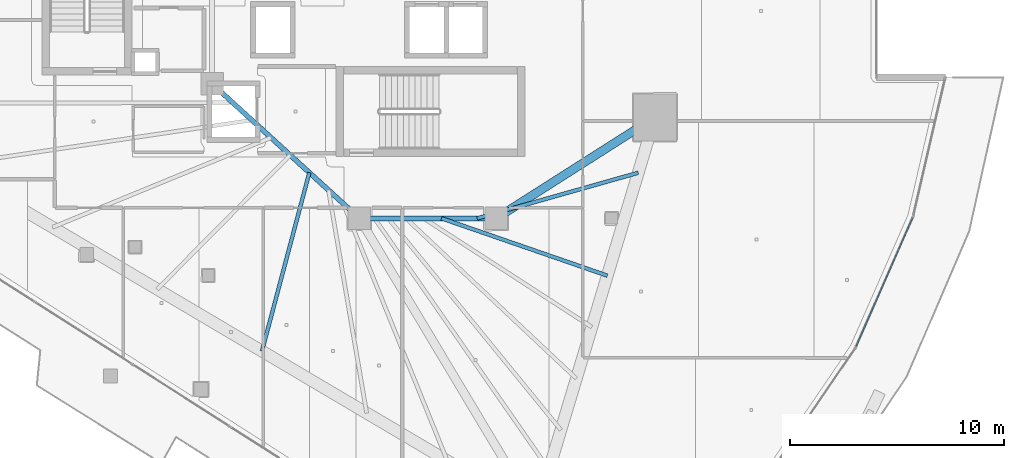
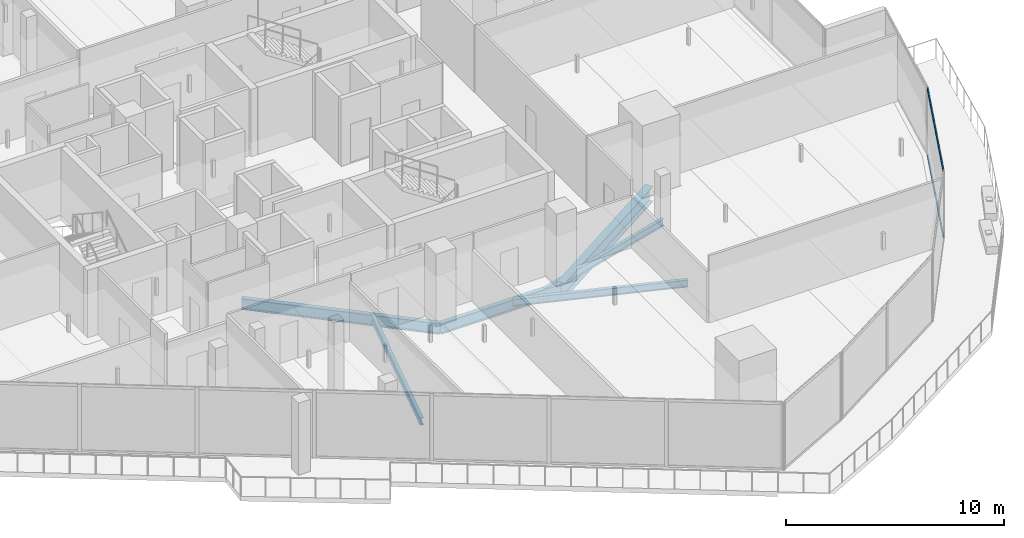
# One storey, part 12 of 39: 6 beams, 2 members, 1 element without a shape of its own.
"""IFC4 building model written with IfcOpenShell, lengths in metres."""

import ifcopenshell
import ifcopenshell.guid

model = None  # the IFC model being written
_history = None  # IfcOwnerHistory: only IFC2X3 demands one
_inside = {}  # id of a spatial element -> (the spatial element, [elements in it])
_under = {}  # id of a project, library or spatial element -> (it, [spatial elements below it])
_declared = {}  # id of a project -> (the project, [libraries it declares])
_typed = {}  # id of a type object -> (the type object, [elements of that type])
_made_of = {}  # id of a material, layer set ... -> (it, [elements and type objects made of it])


def new_model(schema):
    """Start an empty IFC model of exactly this schema.

    Asked for "IFC4X3", IfcOpenShell would pick the latest addendum, in which some entities
    have other attributes; the version numbers below select the first issue.
    IFC2X3 requires an IfcOwnerHistory on every rooted entity: one is made here for all.
    """
    global model, _history
    if schema == "IFC4X3":
        model = ifcopenshell.file(schema_version=(4, 3, 0, 0))
    else:
        model = ifcopenshell.file(schema=schema)
    _inside.clear()
    _under.clear()
    _declared.clear()
    _typed.clear()
    _made_of.clear()
    _history = None
    if model.schema == "IFC2X3":
        org = make("IfcOrganization", Name="unknown")
        user = make(
            "IfcPersonAndOrganization",
            ThePerson=make("IfcPerson", FamilyName="unknown"),
            TheOrganization=org,
        )
        app = make(
            "IfcApplication",
            ApplicationDeveloper=org,
            Version="unknown",
            ApplicationFullName="unknown",
            ApplicationIdentifier="unknown",
        )
        _history = make(
            "IfcOwnerHistory",
            OwningUser=user,
            OwningApplication=app,
            ChangeAction="ADDED",
            CreationDate=0,
        )
    return model


def make(cls, **values):
    """One entity of the class cls with the attributes given. An attribute that is None is left unset."""
    return model.create_entity(
        cls, **{name: value for name, value in values.items() if value is not None}
    )


def rooted(cls, **values):
    """An entity with a GlobalId (a new one), such as an element, a storey or a relation."""
    return make(cls, GlobalId=ifcopenshell.guid.new(), OwnerHistory=_history, **values)


def si_unit(unit_type, name, prefix=None):
    """IfcSIUnit, for example si_unit("LENGTHUNIT", "METRE", prefix="MILLI")."""
    return make("IfcSIUnit", UnitType=unit_type, Prefix=prefix, Name=name)


def assignment(units):
    """IfcUnitAssignment: the units of a project."""
    return None if units is None else make("IfcUnitAssignment", Units=units)


def point(xyz):
    """IfcCartesianPoint."""
    return None if xyz is None else make("IfcCartesianPoint", Coordinates=xyz)


def direction(xyz):
    """IfcDirection."""
    return None if xyz is None else make("IfcDirection", DirectionRatios=xyz)


def frame(location, z_axis=None, x_axis=None):
    """IfcAxis2Placement3D, a coordinate frame: its origin and axes. An axis left out is left unset."""
    return make(
        "IfcAxis2Placement3D",
        Location=point(location),
        Axis=direction(z_axis),
        RefDirection=direction(x_axis),
    )


def frame_2d(location, x_axis=None):
    """IfcAxis2Placement2D, a coordinate frame in the plane: its origin and x axis."""
    return make(
        "IfcAxis2Placement2D", Location=point(location), RefDirection=direction(x_axis)
    )


def origin():
    """The frame at (0, 0, 0) with its axes left unset."""
    return frame((0.0, 0.0, 0.0))


def origin_2d():
    """The frame at (0, 0) in the plane with its x axis left unset."""
    return frame_2d((0.0, 0.0))


def place(relative_to, where):
    """IfcLocalPlacement: puts the frame where relative to a parent placement (None: the world)."""
    return make(
        "IfcLocalPlacement", PlacementRelTo=relative_to, RelativePlacement=where
    )


def context(
    kind, dimensions, precision=None, world=None, true_north=None, identifier=None
):
    """IfcGeometricRepresentationContext, for example the 3D "Model" context."""
    return make(
        "IfcGeometricRepresentationContext",
        ContextIdentifier=identifier,
        ContextType=kind,
        CoordinateSpaceDimension=dimensions,
        Precision=precision,
        WorldCoordinateSystem=world,
        TrueNorth=true_north,
    )


def subcontext(parent, identifier, kind, view, scale=None):
    """IfcGeometricRepresentationSubContext, for example "Body" below "Model"."""
    return make(
        "IfcGeometricRepresentationSubContext",
        ContextIdentifier=identifier,
        ContextType=kind,
        ParentContext=parent,
        TargetScale=scale,
        TargetView=view,
    )


def project(units=None, contexts=None):
    """IfcProject with its units and contexts."""
    return rooted(
        "IfcProject",
        Name="project",
        RepresentationContexts=contexts,
        UnitsInContext=assignment(units),
    )


def spatial(cls, under=None, at=None, **own):
    """A site, building, storey or space (cls), placed at a placement, below another one or the project."""
    s = rooted(cls, ObjectPlacement=at, **own)
    if under is not None:
        _under.setdefault(under.id(), (under, []))[1].append(s)
    return s


def profile(cls, at=None, kind="AREA", **sizes):
    """A parametric profile (cls). Its sizes go by their IFC names, for example OverallWidth=200.0."""
    return make(cls, ProfileType=kind, Position=at, **sizes)


def hollow_rectangle(**sizes):
    """IfcRectangleHollowProfileDef."""
    return profile("IfcRectangleHollowProfileDef", **sizes)


def i_section(**sizes):
    """IfcIShapeProfileDef."""
    return profile("IfcIShapeProfileDef", **sizes)


def extrude(swept, where, along, depth):
    """IfcExtrudedAreaSolid: the profile swept, set in the frame where, extruded along a direction by depth."""
    return make(
        "IfcExtrudedAreaSolid",
        SweptArea=swept,
        Position=where,
        ExtrudedDirection=direction(along),
        Depth=depth,
    )


def shape(context_of_items, identifier, shape_type, items):
    """IfcShapeRepresentation: the items that make up one representation, for example the "Body"."""
    return make(
        "IfcShapeRepresentation",
        ContextOfItems=context_of_items,
        RepresentationIdentifier=identifier,
        RepresentationType=shape_type,
        Items=items,
    )


def material(Name=None, Category=None):
    """IfcMaterial."""
    return make("IfcMaterial", Name=Name, Category=Category)


def layer(
    of_material, thickness, ventilated=None, Name=None, Category=None, Priority=None
):
    """IfcMaterialLayer: one layer of a wall or slab, of a material (None: an air gap)."""
    return make(
        "IfcMaterialLayer",
        Material=of_material,
        LayerThickness=thickness,
        IsVentilated=ventilated,
        Name=Name,
        Category=Category,
        Priority=Priority,
    )


def layer_set(layers, Name=None):
    """IfcMaterialLayerSet."""
    return make("IfcMaterialLayerSet", MaterialLayers=layers, LayerSetName=Name)


def material_profile(
    of_material, cross_section, Name=None, Category=None, Priority=None
):
    """IfcMaterialProfile: a cross section and its material."""
    return make(
        "IfcMaterialProfile",
        Name=Name,
        Material=of_material,
        Profile=cross_section,
        Priority=Priority,
        Category=Category,
    )


def profile_set(profiles, Name=None, composite=None):
    """IfcMaterialProfileSet."""
    return make(
        "IfcMaterialProfileSet",
        Name=Name,
        MaterialProfiles=profiles,
        CompositeProfile=composite,
    )


def made_of(thing, what):
    """Note that an element or type object is made of a material, layer set ...; save() writes the relation."""
    if what is not None:
        _made_of.setdefault(what.id(), (what, []))[1].append(thing)
    return thing


def type_object(cls, material=None, **own):
    """A type object (cls), such as IfcWallType, which elements share."""
    return made_of(rooted(cls, **own), material)


def element(
    cls,
    number,
    at=None,
    inside=None,
    cuts=None,
    type_object=None,
    material=None,
    context=None,
    identifier="Body",
    shape_type=None,
    held_by="IfcProductDefinitionShape",
    body=None,
    shapes=None,
    **own,
):
    """One element of the class cls, such as IfcWall. Its Tag is "e" and its number.

    at: its placement. inside: the storey or other place that contains it. cuts: it is an
    opening in that element (IfcRelVoidsElement). A single representation is given by context,
    identifier, shape_type and body (its items); several are given by shapes. held_by: the class
    of the entity that holds the representations. save() writes the other relations.
    """
    e = rooted(cls, Tag="e%d" % number, ObjectPlacement=at, **own)
    if body is not None:
        shapes = [shape(context, identifier, shape_type, body)]
    if shapes is not None:
        e.Representation = make(held_by, Representations=shapes)
    if inside is not None:
        _inside.setdefault(inside.id(), (inside, []))[1].append(e)
    if cuts is not None:
        rooted(
            "IfcRelVoidsElement", RelatingBuildingElement=cuts, RelatedOpeningElement=e
        )
    if type_object is not None:
        _typed.setdefault(type_object.id(), (type_object, []))[1].append(e)
    return made_of(e, material)


def aggregate(whole, parts):
    """IfcRelAggregates: a whole, such as a stair, and the parts it consists of."""
    return rooted("IfcRelAggregates", RelatingObject=whole, RelatedObjects=parts)


def save(model, path):
    """Write the relations noted so far, then the file.

    IfcRelAggregates (storeys below a building ...), IfcRelContainedInSpatialStructure (elements
    in a storey), IfcRelDefinesByType, IfcRelAssociatesMaterial and IfcRelDeclares: one each for
    every whole, place, type object, material and project.
    """
    for whole, parts in _under.values():
        aggregate(whole, parts)
    for where, things in _inside.values():
        rooted(
            "IfcRelContainedInSpatialStructure",
            RelatedElements=things,
            RelatingStructure=where,
        )
    for kind, things in _typed.values():
        rooted("IfcRelDefinesByType", RelatedObjects=things, RelatingType=kind)
    for what, things in _made_of.values():
        rooted("IfcRelAssociatesMaterial", RelatedObjects=things, RelatingMaterial=what)
    for by, libraries in _declared.values():
        rooted("IfcRelDeclares", RelatingContext=by, RelatedDefinitions=libraries)
    model.write(path)


model = new_model("IFC4")

# Units and contexts
model_context = context("Model", 3, precision=1e-05, world=origin(), true_north=direction((0.0, 1.0)))
body_context = subcontext(model_context, "Body", "Model", "MODEL_VIEW")
ifc_project = project(units=[si_unit("LENGTHUNIT", "METRE"), si_unit("AREAUNIT", "SQUARE_METRE"), si_unit("VOLUMEUNIT", "CUBIC_METRE"), si_unit("PLANEANGLEUNIT", "RADIAN"), si_unit("MASSUNIT", "GRAM", prefix="KILO")], contexts=[model_context])

# Site, building, storey
site_placement = place(None, origin())
site = spatial("IfcSite", under=ifc_project, at=site_placement, CompositionType="ELEMENT")
building_placement = place(site_placement, origin())
building = spatial("IfcBuilding", under=site, at=building_placement, Name="Qorvath Tower", CompositionType="ELEMENT")
storey_placement = place(building_placement, frame((0.0, 0.0, 142.199951171875)))
storey = spatial("IfcBuildingStorey", under=building, at=storey_placement, Name="L32", CompositionType="ELEMENT", Elevation=142.199951171875)

# Beams
ifc_material_1 = material(Name="Steel ASTM A992 Grade 50", Category="steel")
ifc_material_profile_1 = material_profile(ifc_material_1, i_section(OverallWidth=0.39892578125, OverallDepth=0.85498046875, WebThickness=0.018310546875, FlangeThickness=0.029296875, FilletRadius=0.02001953125, at=origin_2d()), Name="W33x201")
ifc_profile_set_1 = profile_set([ifc_material_profile_1], Name="Steel ASTM A992 Grade 50")
beam_type_1 = type_object("IfcBeamType", Name="BM-FG2", PredefinedType="BEAM", material=ifc_profile_set_1)
beam_1_placement = place(storey_placement, frame((-17.199951171875, -11.449951171875, -0.697509765625), z_axis=(0.843634090834, 0.536918542037, 0.0), x_axis=(-0.536918542037, 0.843634090834, 0.0)))
element("IfcBeam", 1, at=beam_1_placement, inside=storey, type_object=beam_type_1, Name="Radial Floor Girder CC3-MC4 L32", PredefinedType="BEAM", context=body_context, shape_type="SweptSolid", body=[
    extrude(i_section(OverallWidth=0.39892578125, OverallDepth=0.85498046875, WebThickness=0.018310546875, FlangeThickness=0.029296875, FilletRadius=0.02001953125, at=origin_2d()), origin(), (0.0, 0.0, 1.0), 8.806884765625),
])
ifc_material_2 = material(Name="Steel ASTM A992 Grade 50", Category="steel")
ifc_material_profile_2 = material_profile(ifc_material_2, i_section(OverallWidth=0.22998046875, OverallDepth=0.616943359375, WebThickness=0.01318359375, FlangeThickness=0.022216796875, FilletRadius=0.014892578125, at=origin_2d()), Name="W24x94")
ifc_profile_set_2 = profile_set([ifc_material_profile_2], Name="Steel ASTM A992 Grade 50")
beam_type_2 = type_object("IfcBeamType", Name="BM-FG6", PredefinedType="BEAM", material=ifc_profile_set_2)
beam_2_placement = place(storey_placement, frame((-17.199951171875, -11.449951171875, -0.57861328125), z_axis=(-1.0, 0.0, 0.0), x_axis=(0.0, -1.0, 0.0)))
element("IfcBeam", 2, at=beam_2_placement, inside=storey, type_object=beam_type_2, Name="Core Ring Girder CC3-CC4 L32", PredefinedType="BEAM", context=body_context, shape_type="SweptSolid", body=[
    extrude(i_section(OverallWidth=0.22998046875, OverallDepth=0.616943359375, WebThickness=0.01318359375, FlangeThickness=0.022216796875, FilletRadius=0.014892578125, at=origin_2d()), origin(), (0.0, 0.0, 1.0), 6.400146484375),
])
beam_3_placement = place(storey_placement, frame((-23.60009765625, -11.449951171875, -0.57861328125), z_axis=(-0.73847813985, 0.6742774184, 0.0), x_axis=(-0.6742774184, -0.73847813985, 0.0)))
element("IfcBeam", 3, at=beam_3_placement, inside=storey, type_object=beam_type_2, Name="Core Ring Girder CC4-CC6 L32", PredefinedType="BEAM", context=body_context, shape_type="SweptSolid", body=[
    extrude(i_section(OverallWidth=0.22998046875, OverallDepth=0.616943359375, WebThickness=0.01318359375, FlangeThickness=0.022216796875, FilletRadius=0.014892578125, at=origin_2d()), origin(), (0.0, 0.0, 1.0), 9.343505859375),
])
ifc_material_3 = material(Name="Steel ASTM A992 Grade 50", Category="steel")
ifc_material_profile_3 = material_profile(ifc_material_3, i_section(OverallWidth=0.177978515625, OverallDepth=0.406005859375, WebThickness=0.0078125, FlangeThickness=0.0126953125, FilletRadius=0.010986328125, at=origin_2d()), Name="W16x40")
ifc_profile_set_3 = profile_set([ifc_material_profile_3], Name="Steel ASTM A992 Grade 50")
beam_type_3 = type_object("IfcBeamType", Name="BM-FJ3", PredefinedType="JOIST", material=ifc_profile_set_3)
beam_4_placement = place(storey_placement, frame((-18.095947265625, -11.449951171875, -0.47314453125), z_axis=(0.962222206221, 0.272265359264, 0.0), x_axis=(-0.272265359264, 0.962222206221, 0.0)))
element("IfcBeam", 4, at=beam_4_placement, inside=storey, type_object=beam_type_3, Name="Composite Floor Joist SE1 L32", PredefinedType="JOIST", context=body_context, shape_type="SweptSolid", body=[
    extrude(i_section(OverallWidth=0.177978515625, OverallDepth=0.406005859375, WebThickness=0.0078125, FlangeThickness=0.0126953125, FilletRadius=0.010986328125, at=origin_2d()), origin(), (0.0, 0.0, 1.0), 7.841552734375),
])
beam_5_placement = place(storey_placement, frame((-19.760009765625, -11.449951171875, -0.47314453125), z_axis=(0.945168345309, -0.326583525342, 0.0), x_axis=(0.326583525342, 0.945168345309, 0.0)))
element("IfcBeam", 5, at=beam_5_placement, inside=storey, type_object=beam_type_3, Name="Composite Floor Joist SE3 L32", PredefinedType="JOIST", context=body_context, shape_type="SweptSolid", body=[
    extrude(i_section(OverallWidth=0.177978515625, OverallDepth=0.406005859375, WebThickness=0.0078125, FlangeThickness=0.0126953125, FilletRadius=0.010986328125, at=origin_2d()), origin(), (0.0, 0.0, 1.0), 8.21044921875),
])
beam_6_placement = place(storey_placement, frame((-25.946044921875, -9.30810546875, -0.47314453125), z_axis=(-0.256507909517, -0.966542131702, 0.0), x_axis=(0.966542131702, -0.256507909517, 0.0)))
element("IfcBeam", 6, at=beam_6_placement, inside=storey, type_object=beam_type_3, Name="Composite Floor Joist SW5 L32", PredefinedType="JOIST", context=body_context, shape_type="SweptSolid", body=[
    extrude(i_section(OverallWidth=0.177978515625, OverallDepth=0.406005859375, WebThickness=0.0078125, FlangeThickness=0.0126953125, FilletRadius=0.010986328125, at=origin_2d()), origin(), (0.0, 0.0, 1.0), 8.64697265625),
])

# Curtain wall, members
ifc_material_4 = material(Name="Anodised aluminium and triple low-E glass", Category="aluminium")
ifc_layer = layer(ifc_material_4, 0.179931640625)
ifc_layer_set = layer_set([ifc_layer], Name="CW-SYS-3")
curtain_wall_type = type_object("IfcCurtainWallType", Name="CW-SYS-3", PredefinedType="NOTDEFINED", material=ifc_layer_set)
curtain_wall_placement = place(storey_placement, origin())
curtain_wall = element("IfcCurtainWall", 7, at=curtain_wall_placement, inside=storey, type_object=curtain_wall_type, Name="Curtain Wall CW-3 CW-T-L32-6.1", PredefinedType="NOTDEFINED")
ifc_material_5 = material(Name="Anodised aluminium 6063-T6", Category="aluminium")
ifc_material_profile_4 = material_profile(ifc_material_5, hollow_rectangle(XDim=0.06494140625, YDim=0.159912109375, WallThickness=0.00341796875, InnerFilletRadius=0.00341796875, OuterFilletRadius=0.007080078125, at=origin_2d()), Name="CWT 160x65")
ifc_profile_set_4 = profile_set([ifc_material_profile_4], Name="Anodised aluminium 6063-T6")
member_type = type_object("IfcMemberType", Name="CWT-160", PredefinedType="USERDEFINED", material=ifc_profile_set_4)
member_1_placement = place(storey_placement, frame((-0.35205078125, -17.447021484375, 0.032470703125), z_axis=(0.401857137261, 0.915702375902, 0.0), x_axis=(-0.915702375902, 0.401857137261, 0.0)))
member_1 = element("IfcMember", 8, at=member_1_placement, type_object=member_type, Name="CW-3 transom 1.1", ObjectType="TRANSOM", PredefinedType="USERDEFINED", context=body_context, shape_type="SweptSolid", body=[
    extrude(hollow_rectangle(XDim=0.06494140625, YDim=0.159912109375, WallThickness=0.00341796875, InnerFilletRadius=0.00341796875, OuterFilletRadius=0.007080078125, at=origin_2d()), origin(), (0.0, 0.0, 1.0), 6.572998046875),
])
member_2_placement = place(storey_placement, frame((-0.35205078125, -17.447021484375, 3.74755859375), z_axis=(0.401857137261, 0.915702375902, 0.0), x_axis=(-0.915702375902, 0.401857137261, 0.0)))
member_2 = element("IfcMember", 9, at=member_2_placement, type_object=member_type, Name="CW-3 transom 1.2", ObjectType="TRANSOM", PredefinedType="USERDEFINED", context=body_context, shape_type="SweptSolid", body=[
    extrude(hollow_rectangle(XDim=0.06494140625, YDim=0.159912109375, WallThickness=0.00341796875, InnerFilletRadius=0.00341796875, OuterFilletRadius=0.007080078125, at=origin_2d()), origin(), (0.0, 0.0, 1.0), 6.572998046875),
])
aggregate(curtain_wall, [member_1, member_2])

save(model, "model.ifc")
